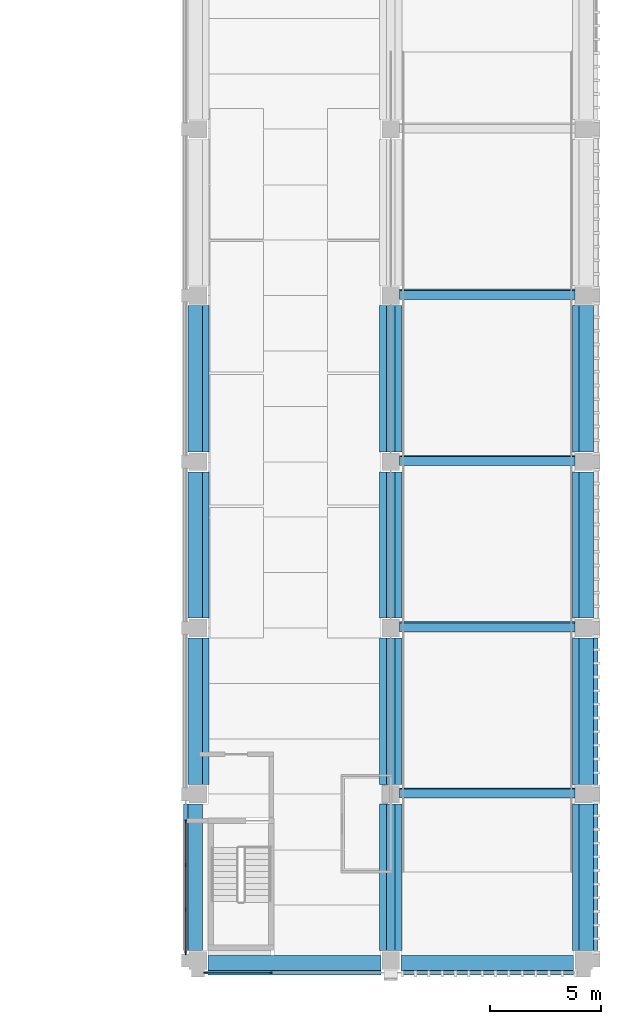
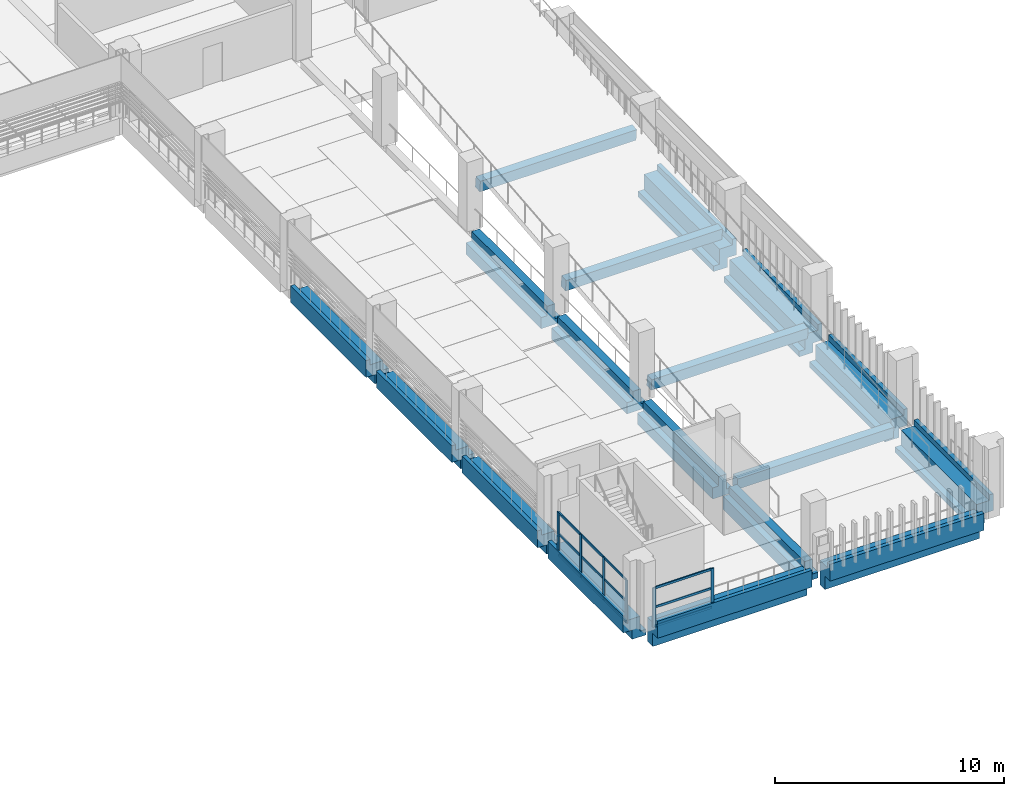
# One storey, part 18 of 61: 18 beams, 18 members, 2 elements without a shape of their own.
"""IFC4 building model written with IfcOpenShell, lengths in metres."""

from ifc_helpers import new_model, si_unit, direction, frame, origin, origin_2d, place, context, subcontext, project, spatial, polyline, rectangle, outline, extrude, material, layer, layer_set, material_profile, profile_set, type_object, element, aggregate, save


model = new_model("IFC4")

# Units and contexts
model_context = context("Model", 3, precision=1e-05, world=origin(), true_north=direction((0.0, 1.0)))
body_context = subcontext(model_context, "Body", "Model", "MODEL_VIEW")
ifc_project = project(units=[si_unit("LENGTHUNIT", "METRE"), si_unit("AREAUNIT", "SQUARE_METRE"), si_unit("VOLUMEUNIT", "CUBIC_METRE"), si_unit("PLANEANGLEUNIT", "RADIAN"), si_unit("MASSUNIT", "GRAM", prefix="KILO")], contexts=[model_context])

# Site, building, storey
site_placement = place(None, origin())
site = spatial("IfcSite", under=ifc_project, at=site_placement, CompositionType="ELEMENT")
building_placement = place(site_placement, origin())
building = spatial("IfcBuilding", under=site, at=building_placement, Name="Cour d'Honneur Mobility Palace", CompositionType="ELEMENT")
storey_placement = place(building_placement, frame((0.0, 0.0, 11.89990234375)))
storey = spatial("IfcBuildingStorey", under=building, at=storey_placement, Name="L03", CompositionType="ELEMENT", Elevation=11.89990234375)

# Curtain wall, members
ifc_material_1 = material(Name="Aluminium and glass", Category="aluminium")
ifc_layer = layer(ifc_material_1, 0.10009765625)
ifc_layer_set = layer_set([ifc_layer], Name="Aluminium and glass")
curtain_wall_type = type_object("IfcCurtainWallType", Name="Curtain wall run", PredefinedType="NOTDEFINED", material=ifc_layer_set)
curtain_wall_1_placement = place(storey_placement, origin())
curtain_wall_1 = element("IfcCurtainWall", 1, at=curtain_wall_1_placement, inside=storey, type_object=curtain_wall_type, Name="Curtain wall CW-139", PredefinedType="NOTDEFINED")
ifc_material_2 = material(Name="Aluminium", Category="aluminium")
ifc_material_profile_1 = material_profile(ifc_material_2, rectangle(XDim=0.06005859375, YDim=0.159912109375, at=origin_2d()), Name="Curtain wall mullion")
ifc_profile_set_1 = profile_set([ifc_material_profile_1], Name="Aluminium")
member_type_1 = type_object("IfcMemberType", Name="Curtain wall mullion", PredefinedType="MULLION", material=ifc_profile_set_1)
member_1_placement = place(storey_placement, frame((144.35009765625, 6.27001953125, 0.0), z_axis=(0.0, 0.0, 1.0), x_axis=(1.0, 0.0, 0.0)))
member_1 = element("IfcMember", 2, at=member_1_placement, type_object=member_type_1, Name="CW-139 mullion 1", PredefinedType="MULLION", context=body_context, shape_type="SweptSolid", body=[
    extrude(rectangle(XDim=0.06005859375, YDim=0.159912109375, at=origin_2d()), origin(), (0.0, 0.0, 1.0), 2.300048828125),
])
member_2_placement = place(storey_placement, frame((144.35009765625, 4.300048828125, 0.0), z_axis=(0.0, 0.0, 1.0), x_axis=(1.0, 0.0, 0.0)))
member_2 = element("IfcMember", 3, at=member_2_placement, type_object=member_type_1, Name="CW-139 mullion 2", PredefinedType="MULLION", context=body_context, shape_type="SweptSolid", body=[
    extrude(rectangle(XDim=0.06005859375, YDim=0.159912109375, at=origin_2d()), origin(), (0.0, 0.0, 1.0), 2.300048828125),
])
member_3_placement = place(storey_placement, frame((144.35009765625, 2.300048828125, 0.0), z_axis=(0.0, 0.0, 1.0), x_axis=(1.0, 0.0, 0.0)))
member_3 = element("IfcMember", 4, at=member_3_placement, type_object=member_type_1, Name="CW-139 mullion 3", PredefinedType="MULLION", context=body_context, shape_type="SweptSolid", body=[
    extrude(rectangle(XDim=0.06005859375, YDim=0.159912109375, at=origin_2d()), origin(), (0.0, 0.0, 1.0), 2.300048828125),
])
member_4_placement = place(storey_placement, frame((144.35009765625, 0.330078125, 0.0), z_axis=(0.0, 0.0, 1.0), x_axis=(1.0, 0.0, 0.0)))
member_4 = element("IfcMember", 5, at=member_4_placement, type_object=member_type_1, Name="CW-139 mullion 4", PredefinedType="MULLION", context=body_context, shape_type="SweptSolid", body=[
    extrude(rectangle(XDim=0.06005859375, YDim=0.159912109375, at=origin_2d()), origin(), (0.0, 0.0, 1.0), 2.300048828125),
])

curtain_wall_2_placement = place(storey_placement, origin())
curtain_wall_2 = element("IfcCurtainWall", 6, at=curtain_wall_2_placement, inside=storey, type_object=curtain_wall_type, Name="Curtain wall CW-140", PredefinedType="NOTDEFINED")
member_5_placement = place(storey_placement, frame((145.22998046875, -0.550048828125, 0.0), z_axis=(0.0, 0.0, 1.0), x_axis=(0.0, 1.0, 0.0)))
member_5 = element("IfcMember", 7, at=member_5_placement, type_object=member_type_1, Name="CW-140 mullion 1", PredefinedType="MULLION", context=body_context, shape_type="SweptSolid", body=[
    extrude(rectangle(XDim=0.06005859375, YDim=0.159912109375, at=origin_2d()), origin(), (0.0, 0.0, 1.0), 2.10009765625),
])
member_6_placement = place(storey_placement, frame((148.169921875, -0.550048828125, 0.0), z_axis=(0.0, 0.0, 1.0), x_axis=(0.0, 1.0, 0.0)))
member_6 = element("IfcMember", 8, at=member_6_placement, type_object=member_type_1, Name="CW-140 mullion 2", PredefinedType="MULLION", context=body_context, shape_type="SweptSolid", body=[
    extrude(rectangle(XDim=0.06005859375, YDim=0.159912109375, at=origin_2d()), origin(), (0.0, 0.0, 1.0), 2.10009765625),
])

# Member
ifc_material_3 = material(Name="Aluminium", Category="aluminium")
ifc_material_profile_2 = material_profile(ifc_material_3, rectangle(XDim=0.06005859375, YDim=0.1201171875, at=origin_2d()), Name="Curtain wall transom")
ifc_profile_set_2 = profile_set([ifc_material_profile_2], Name="Aluminium")
member_type_2 = type_object("IfcMemberType", Name="Curtain wall transom", PredefinedType="USERDEFINED", material=ifc_profile_set_2)
member_7_placement = place(storey_placement, frame((144.35009765625, 6.239990234375, 0.030029296875), z_axis=(0.0, -1.0, 0.0), x_axis=(1.0, 0.0, 0.0)))
member_7 = element("IfcMember", 9, at=member_7_placement, type_object=member_type_2, Name="CW-139 transom 1.1", ObjectType="TRANSOM", PredefinedType="USERDEFINED", context=body_context, shape_type="SweptSolid", body=[
    extrude(rectangle(XDim=0.06005859375, YDim=0.1201171875, at=origin_2d()), origin(), (0.0, 0.0, 1.0), 1.909912109375),
])

member_8_placement = place(storey_placement, frame((144.35009765625, 6.239990234375, 1.150146484375), z_axis=(0.0, -1.0, 0.0), x_axis=(1.0, 0.0, 0.0)))
member_8 = element("IfcMember", 10, at=member_8_placement, type_object=member_type_2, Name="CW-139 transom 1.2", ObjectType="TRANSOM", PredefinedType="USERDEFINED", context=body_context, shape_type="SweptSolid", body=[
    extrude(rectangle(XDim=0.06005859375, YDim=0.1201171875, at=origin_2d()), origin(), (0.0, 0.0, 1.0), 1.909912109375),
])

member_9_placement = place(storey_placement, frame((144.35009765625, 6.239990234375, 2.27001953125), z_axis=(0.0, -1.0, 0.0), x_axis=(1.0, 0.0, 0.0)))
member_9 = element("IfcMember", 11, at=member_9_placement, type_object=member_type_2, Name="CW-139 transom 1.3", ObjectType="TRANSOM", PredefinedType="USERDEFINED", context=body_context, shape_type="SweptSolid", body=[
    extrude(rectangle(XDim=0.06005859375, YDim=0.1201171875, at=origin_2d()), origin(), (0.0, 0.0, 1.0), 1.909912109375),
])

member_10_placement = place(storey_placement, frame((144.35009765625, 4.27001953125, 0.030029296875), z_axis=(0.0, -1.0, 0.0), x_axis=(1.0, 0.0, 0.0)))
member_10 = element("IfcMember", 12, at=member_10_placement, type_object=member_type_2, Name="CW-139 transom 2.1", ObjectType="TRANSOM", PredefinedType="USERDEFINED", context=body_context, shape_type="SweptSolid", body=[
    extrude(rectangle(XDim=0.06005859375, YDim=0.1201171875, at=origin_2d()), origin(), (0.0, 0.0, 1.0), 1.93994140625),
])

member_11_placement = place(storey_placement, frame((144.35009765625, 4.27001953125, 1.150146484375), z_axis=(0.0, -1.0, 0.0), x_axis=(1.0, 0.0, 0.0)))
member_11 = element("IfcMember", 13, at=member_11_placement, type_object=member_type_2, Name="CW-139 transom 2.2", ObjectType="TRANSOM", PredefinedType="USERDEFINED", context=body_context, shape_type="SweptSolid", body=[
    extrude(rectangle(XDim=0.06005859375, YDim=0.1201171875, at=origin_2d()), origin(), (0.0, 0.0, 1.0), 1.93994140625),
])

member_12_placement = place(storey_placement, frame((144.35009765625, 4.27001953125, 2.27001953125), z_axis=(0.0, -1.0, 0.0), x_axis=(1.0, 0.0, 0.0)))
member_12 = element("IfcMember", 14, at=member_12_placement, type_object=member_type_2, Name="CW-139 transom 2.3", ObjectType="TRANSOM", PredefinedType="USERDEFINED", context=body_context, shape_type="SweptSolid", body=[
    extrude(rectangle(XDim=0.06005859375, YDim=0.1201171875, at=origin_2d()), origin(), (0.0, 0.0, 1.0), 1.93994140625),
])

member_13_placement = place(storey_placement, frame((144.35009765625, 2.27001953125, 0.030029296875), z_axis=(0.0, -1.0, 0.0), x_axis=(1.0, 0.0, 0.0)))
member_13 = element("IfcMember", 15, at=member_13_placement, type_object=member_type_2, Name="CW-139 transom 3.1", ObjectType="TRANSOM", PredefinedType="USERDEFINED", context=body_context, shape_type="SweptSolid", body=[
    extrude(rectangle(XDim=0.06005859375, YDim=0.1201171875, at=origin_2d()), origin(), (0.0, 0.0, 1.0), 1.909912109375),
])

member_14_placement = place(storey_placement, frame((144.35009765625, 2.27001953125, 1.150146484375), z_axis=(0.0, -1.0, 0.0), x_axis=(1.0, 0.0, 0.0)))
member_14 = element("IfcMember", 16, at=member_14_placement, type_object=member_type_2, Name="CW-139 transom 3.2", ObjectType="TRANSOM", PredefinedType="USERDEFINED", context=body_context, shape_type="SweptSolid", body=[
    extrude(rectangle(XDim=0.06005859375, YDim=0.1201171875, at=origin_2d()), origin(), (0.0, 0.0, 1.0), 1.909912109375),
])

member_15_placement = place(storey_placement, frame((144.35009765625, 2.27001953125, 2.27001953125), z_axis=(0.0, -1.0, 0.0), x_axis=(1.0, 0.0, 0.0)))
member_15 = element("IfcMember", 17, at=member_15_placement, type_object=member_type_2, Name="CW-139 transom 3.3", ObjectType="TRANSOM", PredefinedType="USERDEFINED", context=body_context, shape_type="SweptSolid", body=[
    extrude(rectangle(XDim=0.06005859375, YDim=0.1201171875, at=origin_2d()), origin(), (0.0, 0.0, 1.0), 1.909912109375),
])

aggregate(curtain_wall_1, [member_1, member_2, member_3, member_4, member_7, member_8, member_9, member_10, member_11, member_12, member_13, member_14, member_15])

member_16_placement = place(storey_placement, frame((145.260009765625, -0.550048828125, 0.030029296875), z_axis=(1.0, 0.0, 0.0), x_axis=(0.0, 1.0, 0.0)))
member_16 = element("IfcMember", 18, at=member_16_placement, type_object=member_type_2, Name="CW-140 transom 1.1", ObjectType="TRANSOM", PredefinedType="USERDEFINED", context=body_context, shape_type="SweptSolid", body=[
    extrude(rectangle(XDim=0.06005859375, YDim=0.1201171875, at=origin_2d()), origin(), (0.0, 0.0, 1.0), 2.8798828125),
])

member_17_placement = place(storey_placement, frame((145.260009765625, -0.550048828125, 1.050048828125), z_axis=(1.0, 0.0, 0.0), x_axis=(0.0, 1.0, 0.0)))
member_17 = element("IfcMember", 19, at=member_17_placement, type_object=member_type_2, Name="CW-140 transom 1.2", ObjectType="TRANSOM", PredefinedType="USERDEFINED", context=body_context, shape_type="SweptSolid", body=[
    extrude(rectangle(XDim=0.06005859375, YDim=0.1201171875, at=origin_2d()), origin(), (0.0, 0.0, 1.0), 2.8798828125),
])

member_18_placement = place(storey_placement, frame((145.260009765625, -0.550048828125, 2.070068359375), z_axis=(1.0, 0.0, 0.0), x_axis=(0.0, 1.0, 0.0)))
member_18 = element("IfcMember", 20, at=member_18_placement, type_object=member_type_2, Name="CW-140 transom 1.3", ObjectType="TRANSOM", PredefinedType="USERDEFINED", context=body_context, shape_type="SweptSolid", body=[
    extrude(rectangle(XDim=0.06005859375, YDim=0.1201171875, at=origin_2d()), origin(), (0.0, 0.0, 1.0), 2.8798828125),
])

aggregate(curtain_wall_2, [member_5, member_6, member_16, member_17, member_18])

# Beams
ifc_material_4 = material(Name="Concrete C45", Category="concrete")
ifc_material_profile_3 = material_profile(ifc_material_4, outline(polyline([(0.22509765625, -1.300048828125), (0.22509765625, 0.0), (-0.22509765625, 0.0), (-0.449951171875, 0.0), (-0.449951171875, 0.300048828125), (-0.64990234375, 0.300048828125), (-0.64990234375, -0.60009765625), (-0.22509765625, -0.60009765625), (-0.22509765625, -1.300048828125), (0.22509765625, -1.300048828125)])), Name="Edge Spandrel Beam 450x1300 no ledge facade right")
ifc_profile_set_3 = profile_set([ifc_material_profile_3], Name="Concrete C45")
beam_type_1 = type_object("IfcBeamType", Name="Edge Spandrel Beam 450x1300 no ledge facade right", PredefinedType="SPANDREL", material=ifc_profile_set_3)
beam_1_placement = place(storey_placement, frame((145.35009765625, 0.0, 0.0), z_axis=(1.0, 0.0, 0.0), x_axis=(0.0, 1.0, 0.0)))
element("IfcBeam", 21, at=beam_1_placement, inside=storey, type_object=beam_type_1, Name="Precast beam B1 19-19A L03", PredefinedType="SPANDREL", context=body_context, shape_type="SweptSolid", body=[
    extrude(outline(polyline([(0.22509765625, -1.300048828125), (0.22509765625, 0.0), (-0.22509765625, 0.0), (-0.449951171875, 0.0), (-0.449951171875, 0.300048828125), (-0.64990234375, 0.300048828125), (-0.64990234375, -0.60009765625), (-0.22509765625, -0.60009765625), (-0.22509765625, -1.300048828125), (0.22509765625, -1.300048828125)])), origin(), (0.0, 0.0, 1.0), 7.7998046875),
])
beam_2_placement = place(storey_placement, frame((154.050048828125, 0.0, 0.0), z_axis=(1.0, 0.0, 0.0), x_axis=(0.0, 1.0, 0.0)))
element("IfcBeam", 22, at=beam_2_placement, inside=storey, type_object=beam_type_1, Name="Precast beam B1 19A-20 L03", PredefinedType="SPANDREL", context=body_context, shape_type="SweptSolid", body=[
    extrude(outline(polyline([(0.22509765625, -1.300048828125), (0.22509765625, 0.0), (-0.22509765625, 0.0), (-0.449951171875, 0.0), (-0.449951171875, 0.300048828125), (-0.64990234375, 0.300048828125), (-0.64990234375, -0.60009765625), (-0.22509765625, -0.60009765625), (-0.22509765625, -1.300048828125), (0.22509765625, -1.300048828125)])), origin(), (0.0, 0.0, 1.0), 7.800048828125),
])
ifc_material_5 = material(Name="Concrete C45", Category="concrete")
ifc_material_profile_4 = material_profile(ifc_material_5, outline(polyline([(0.5, -1.10009765625), (0.5, -0.5), (0.199951171875, -0.5), (0.199951171875, 0.0), (-0.199951171875, 0.0), (-0.199951171875, -0.800048828125), (-0.5, -0.800048828125), (-0.5, -1.10009765625), (0.5, -1.10009765625)])), Name="Inverted Tee Beam 400x1100 ledges 600/300 plain")
ifc_profile_set_4 = profile_set([ifc_material_profile_4], Name="Concrete C45")
beam_type_2 = type_object("IfcBeamType", Name="Inverted Tee Beam 400x1100 ledges 600/300 plain", PredefinedType="T_BEAM", material=ifc_profile_set_4)
for number, where, z_axis, x_axis, name in (
    (23, (153.60009765625, 7.949951171875, 0.0), (0.0, 1.0, 0.0), (-1.0, 0.0, 0.0), "Precast beam B19 B-C L03"),
    (24, (153.60009765625, 15.449951171875, 0.0), (0.0, 1.0, 0.0), (-1.0, 0.0, 0.0), "Precast beam B19 C-D L03"),
    (25, (153.60009765625, 22.949951171875, 0.0), (0.0, 1.0, 0.0), (-1.0, 0.0, 0.0), "Precast beam B19 D-E L03"),
):
    element("IfcBeam", number, at=place(storey_placement, frame(where, z_axis=z_axis, x_axis=x_axis)), inside=storey, type_object=beam_type_2, Name=name, PredefinedType="T_BEAM", context=body_context, shape_type="SweptSolid", body=[
        extrude(outline(polyline([(0.5, -1.10009765625), (0.5, -0.5), (0.199951171875, -0.5), (0.199951171875, 0.0), (-0.199951171875, 0.0), (-0.199951171875, -0.800048828125), (-0.5, -0.800048828125), (-0.5, -1.10009765625), (0.5, -1.10009765625)])), origin(), (0.0, 0.0, 1.0), 6.60009765625),
    ])
ifc_material_6 = material(Name="Concrete C45", Category="concrete")
ifc_material_profile_5 = material_profile(ifc_material_6, outline(polyline([(0.5, -1.10009765625), (0.5, -0.39990234375), (0.199951171875, -0.39990234375), (0.199951171875, 0.0), (-0.199951171875, 0.0), (-0.199951171875, -0.800048828125), (-0.5, -0.800048828125), (-0.5, -1.10009765625), (0.5, -1.10009765625)])), Name="Inverted Tee Beam 400x1100 ledges 700/300 plain")
ifc_profile_set_5 = profile_set([ifc_material_profile_5], Name="Concrete C45")
beam_type_3 = type_object("IfcBeamType", Name="Inverted Tee Beam 400x1100 ledges 700/300 plain", PredefinedType="T_BEAM", material=ifc_profile_set_5)
beam_3_placement = place(storey_placement, frame((153.60009765625, 0.449951171875, 0.0), z_axis=(0.0, 1.0, 0.0), x_axis=(-1.0, 0.0, 0.0)))
element("IfcBeam", 26, at=beam_3_placement, inside=storey, type_object=beam_type_3, Name="Precast beam B18 A-B L03", PredefinedType="T_BEAM", context=body_context, shape_type="SweptSolid", body=[
    extrude(outline(polyline([(0.5, -1.10009765625), (0.5, -0.39990234375), (0.199951171875, -0.39990234375), (0.199951171875, 0.0), (-0.199951171875, 0.0), (-0.199951171875, -0.800048828125), (-0.5, -0.800048828125), (-0.5, -1.10009765625), (0.5, -1.10009765625)])), origin(), (0.0, 0.0, 1.0), 6.60009765625),
])
ifc_material_7 = material(Name="Concrete C45", Category="concrete")
ifc_material_profile_6 = material_profile(ifc_material_7, outline(polyline([(0.5, -1.10009765625), (0.5, -0.800048828125), (0.199951171875, -0.800048828125), (0.199951171875, 0.0), (-0.199951171875, 0.0), (-0.449951171875, 0.0), (-0.449951171875, 0.300048828125), (-0.64990234375, 0.300048828125), (-0.64990234375, -0.60009765625), (-0.199951171875, -0.60009765625), (-0.199951171875, -1.10009765625), (0.5, -1.10009765625)])), Name="Ledger Beam 400x1100 ledge left 300 facade right")
ifc_profile_set_6 = profile_set([ifc_material_profile_6], Name="Concrete C45")
beam_type_4 = type_object("IfcBeamType", Name="Ledger Beam 400x1100 ledge left 300 facade right", PredefinedType="BEAM", material=ifc_profile_set_6)
for number, where, z_axis, x_axis, name in (
    (27, (162.300048828125, 0.449951171875, 0.0), (0.0, 1.0, 0.0), (-1.0, 0.0, 0.0), "Precast beam B3 A-B L03"),
    (28, (162.300048828125, 7.949951171875, 0.0), (0.0, 1.0, 0.0), (-1.0, 0.0, 0.0), "Precast beam B3 B-C L03"),
    (29, (162.300048828125, 15.449951171875, 0.0), (0.0, 1.0, 0.0), (-1.0, 0.0, 0.0), "Precast beam B3 C-D L03"),
    (30, (162.300048828125, 22.949951171875, 0.0), (0.0, 1.0, 0.0), (-1.0, 0.0, 0.0), "Precast beam B3 D-E L03"),
):
    element("IfcBeam", number, at=place(storey_placement, frame(where, z_axis=z_axis, x_axis=x_axis)), inside=storey, type_object=beam_type_4, Name=name, PredefinedType="BEAM", context=body_context, shape_type="SweptSolid", body=[
        extrude(outline(polyline([(0.5, -1.10009765625), (0.5, -0.800048828125), (0.199951171875, -0.800048828125), (0.199951171875, 0.0), (-0.199951171875, 0.0), (-0.449951171875, 0.0), (-0.449951171875, 0.300048828125), (-0.64990234375, 0.300048828125), (-0.64990234375, -0.60009765625), (-0.199951171875, -0.60009765625), (-0.199951171875, -1.10009765625), (0.5, -1.10009765625)])), origin(), (0.0, 0.0, 1.0), 6.60009765625),
    ])
ifc_material_8 = material(Name="Concrete C45", Category="concrete")
ifc_material_profile_7 = material_profile(ifc_material_8, outline(polyline([(0.199951171875, -1.10009765625), (0.199951171875, -0.60009765625), (0.64990234375, -0.60009765625), (0.64990234375, 0.300048828125), (0.449951171875, 0.300048828125), (0.449951171875, 0.0), (0.199951171875, 0.0), (-0.199951171875, 0.0), (-0.199951171875, -0.800048828125), (-0.5, -0.800048828125), (-0.5, -1.10009765625), (0.199951171875, -1.10009765625)])), Name="Ledger Beam 400x1100 ledge right 300 facade left")
ifc_profile_set_7 = profile_set([ifc_material_profile_7], Name="Concrete C45")
beam_type_5 = type_object("IfcBeamType", Name="Ledger Beam 400x1100 ledge right 300 facade left", PredefinedType="BEAM", material=ifc_profile_set_7)
beam_4_placement = place(storey_placement, frame((144.89990234375, 0.449951171875, 0.0), z_axis=(0.0, 1.0, 0.0), x_axis=(-1.0, 0.0, 0.0)))
element("IfcBeam", 31, at=beam_4_placement, inside=storey, type_object=beam_type_5, Name="Precast beam B6 A-B L03", PredefinedType="BEAM", context=body_context, shape_type="SweptSolid", body=[
    extrude(outline(polyline([(0.199951171875, -1.10009765625), (0.199951171875, -0.60009765625), (0.64990234375, -0.60009765625), (0.64990234375, 0.300048828125), (0.449951171875, 0.300048828125), (0.449951171875, 0.0), (0.199951171875, 0.0), (-0.199951171875, 0.0), (-0.199951171875, -0.800048828125), (-0.5, -0.800048828125), (-0.5, -1.10009765625), (0.199951171875, -1.10009765625)])), origin(), (0.0, 0.0, 1.0), 6.60009765625),
])
ifc_material_9 = material(Name="Concrete C45", Category="concrete")
ifc_material_profile_8 = material_profile(ifc_material_9, outline(polyline([(0.199951171875, -1.10009765625), (0.199951171875, -0.60009765625), (0.64990234375, -0.60009765625), (0.64990234375, 0.300048828125), (0.449951171875, 0.300048828125), (0.449951171875, 0.0), (0.199951171875, 0.0), (-0.199951171875, 0.0), (-0.199951171875, -0.5), (-0.5, -0.5), (-0.5, -1.10009765625), (0.199951171875, -1.10009765625)])), Name="Ledger Beam 400x1100 ledge right 600 facade left")
ifc_profile_set_8 = profile_set([ifc_material_profile_8], Name="Concrete C45")
beam_type_6 = type_object("IfcBeamType", Name="Ledger Beam 400x1100 ledge right 600 facade left", PredefinedType="BEAM", material=ifc_profile_set_8)
for number, where, z_axis, x_axis, name in (
    (32, (144.89990234375, 7.949951171875, 0.0), (0.0, 1.0, 0.0), (-1.0, 0.0, 0.0), "Precast beam B15 B-C L03"),
    (33, (144.89990234375, 15.449951171875, 0.0), (0.0, 1.0, 0.0), (-1.0, 0.0, 0.0), "Precast beam B15 C-D L03"),
    (34, (144.89990234375, 22.949951171875, 0.0), (0.0, 1.0, 0.0), (-1.0, 0.0, 0.0), "Precast beam B15 D-E L03"),
):
    element("IfcBeam", number, at=place(storey_placement, frame(where, z_axis=z_axis, x_axis=x_axis)), inside=storey, type_object=beam_type_6, Name=name, PredefinedType="BEAM", context=body_context, shape_type="SweptSolid", body=[
        extrude(outline(polyline([(0.199951171875, -1.10009765625), (0.199951171875, -0.60009765625), (0.64990234375, -0.60009765625), (0.64990234375, 0.300048828125), (0.449951171875, 0.300048828125), (0.449951171875, 0.0), (0.199951171875, 0.0), (-0.199951171875, 0.0), (-0.199951171875, -0.5), (-0.5, -0.5), (-0.5, -1.10009765625), (0.199951171875, -1.10009765625)])), origin(), (0.0, 0.0, 1.0), 6.60009765625),
    ])
ifc_material_10 = material(Name="Concrete C40", Category="concrete")
ifc_material_profile_9 = material_profile(ifc_material_10, rectangle(XDim=0.39990234375, YDim=0.60009765625, at=origin_2d()), Name="Ramp cross beam 400x600")
ifc_profile_set_9 = profile_set([ifc_material_profile_9], Name="Concrete C40")
beam_type_7 = type_object("IfcBeamType", Name="Ramp cross beam 400x600", PredefinedType="BEAM", material=ifc_profile_set_9)
for number, where, z_axis, x_axis, name in (
    (35, (161.89990234375, 7.559814453125, -0.246826171875), (-1.0, 0.0, 0.0), (0.0, -0.995037190449, -0.099503716633), "Ramp cross beam SE.R3-1"),
    (36, (161.89990234375, 15.059814453125, 0.503173828125), (-1.0, 0.0, 0.0), (0.0, -0.995037190449, -0.099503716633), "Ramp cross beam SE.R3-2"),
    (37, (161.89990234375, 22.559814453125, 1.253173828125), (-1.0, 0.0, 0.0), (0.0, -0.995037190449, -0.099503716633), "Ramp cross beam SE.R3-3"),
    (38, (161.89990234375, 30.059814453125, 2.003173828125), (-1.0, 0.0, 0.0), (0.0, -0.995037190449, -0.099503716633), "Ramp cross beam SE.R3-4"),
):
    element("IfcBeam", number, at=place(storey_placement, frame(where, z_axis=z_axis, x_axis=x_axis)), inside=storey, type_object=beam_type_7, Name=name, PredefinedType="BEAM", context=body_context, shape_type="SweptSolid", body=[
        extrude(rectangle(XDim=0.39990234375, YDim=0.60009765625, at=origin_2d()), origin(), (0.0, 0.0, 1.0), 7.89990234375),
    ])

save(model, "model.ifc")
